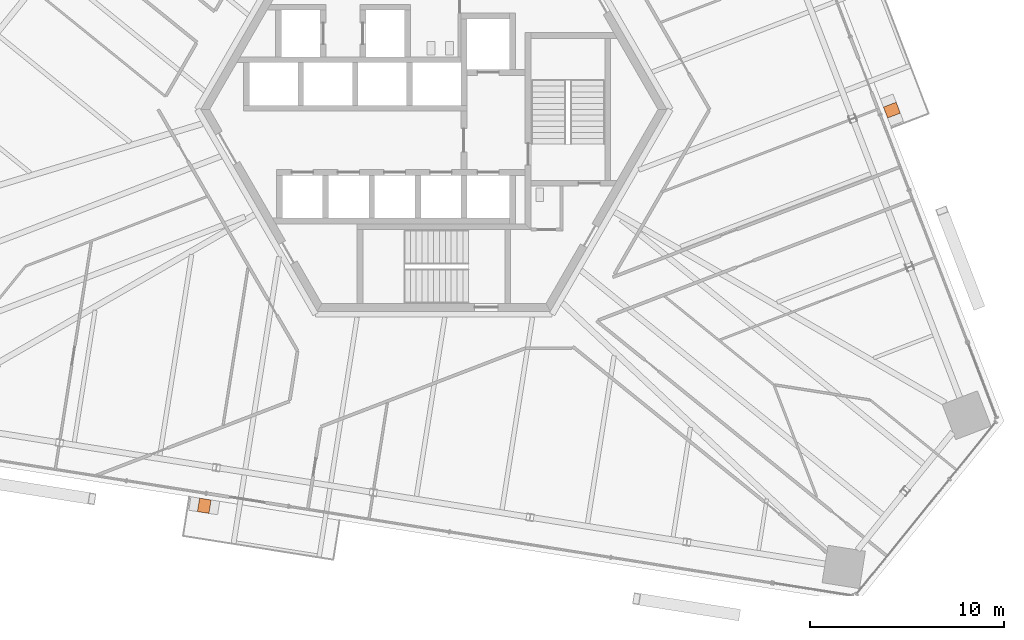
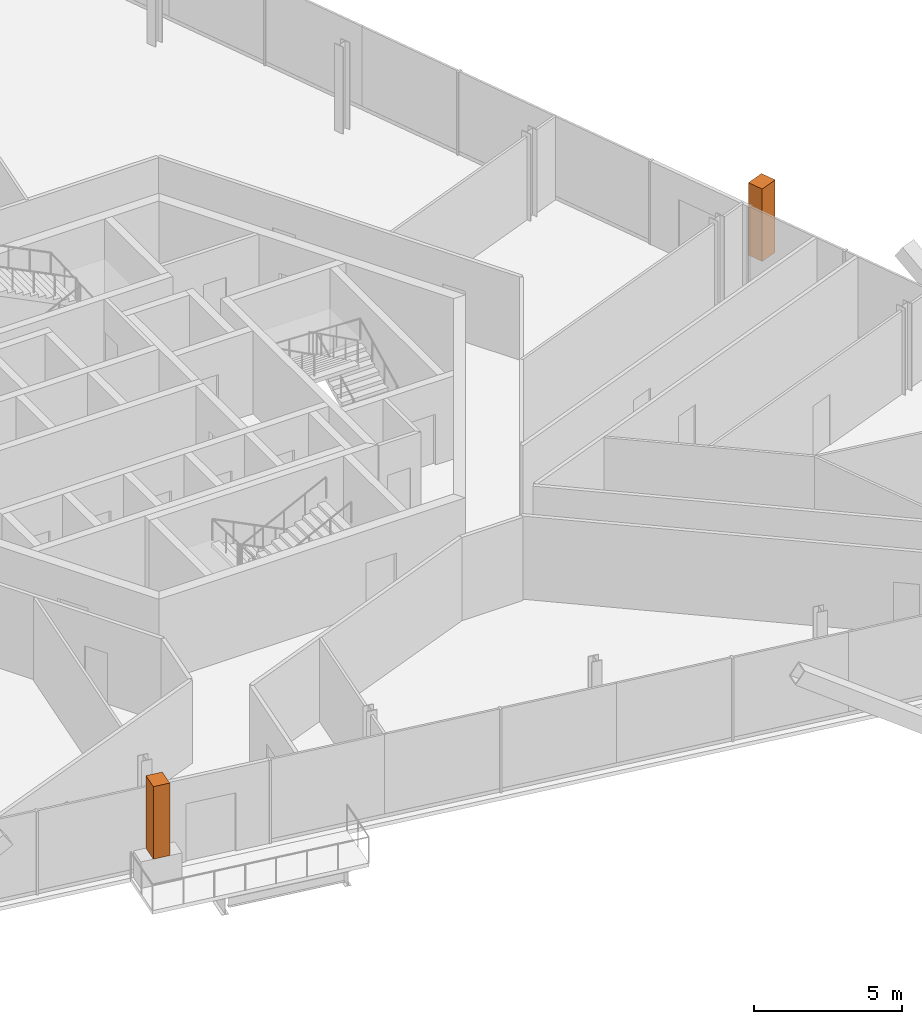
# One storey, part 19 of 19: 2 geographic elements.
"""IFC4 building model written with IfcOpenShell, lengths in metres."""

from ifc_helpers import new_model, si_unit, direction, frame, origin, origin_2d, place, context, subcontext, project, spatial, rectangle, extrude, source, transform, mapped, material, type_object, element, save


model = new_model("IFC4")

# Units and contexts
model_context = context("Model", 3, precision=1e-05, world=origin(), true_north=direction((0.0, 1.0)))
body_context = subcontext(model_context, "Body", "Model", "MODEL_VIEW")
ifc_project = project(units=[si_unit("LENGTHUNIT", "METRE"), si_unit("AREAUNIT", "SQUARE_METRE"), si_unit("VOLUMEUNIT", "CUBIC_METRE"), si_unit("PLANEANGLEUNIT", "RADIAN"), si_unit("MASSUNIT", "GRAM", prefix="KILO")], contexts=[model_context])

# Site, building, storey
site_placement = place(None, origin())
site = spatial("IfcSite", under=ifc_project, at=site_placement, CompositionType="ELEMENT")
building_placement = place(site_placement, origin())
building = spatial("IfcBuilding", under=site, at=building_placement, Name="Triune Harvest Tower", CompositionType="ELEMENT")
storey_placement = place(building_placement, frame((0.0, 0.0, 142.5)))
storey = spatial("IfcBuildingStorey", under=building, at=storey_placement, Name="L36", CompositionType="ELEMENT", Elevation=142.5)

# Geographic elements
ifc_material = material(Name="TREE-1 tree")
geographic_element_type = type_object("IfcGeographicElementType", Name="TREE-1 tree", PredefinedType="USERDEFINED", material=ifc_material)
shared_shape = source(origin(), body_context, "Body", "SweptSolid", [
    extrude(rectangle(XDim=0.60009765625, YDim=0.699951171875, at=origin_2d()), origin(), (0.0, 0.0, 1.0), 3.0),
])
for number, where, z_axis, x_axis, name in (
    (1, (23.5791015625, -0.033935546875, 1.10009765625), (0.0, 0.0, 1.0), (-0.35836927228, 0.933579918746, 0.0), "Tree B4-F1 L36.5a"),
    (2, (-11.819091796875, -20.403076171875, 1.10009765625), (0.0, 0.0, 1.0), (0.987688259912, -0.156434974453, 0.0), "Tree B4-F5 L36.5a"),
):
    element("IfcGeographicElement", number, at=place(storey_placement, frame(where, z_axis=z_axis, x_axis=x_axis)), inside=storey, type_object=geographic_element_type, Name=name, ObjectType="TREE", PredefinedType="USERDEFINED", context=body_context, shape_type="MappedRepresentation", body=[
        mapped(shared_shape, transform((0.0, 0.0, 0.0), scale=1.0)),
    ])

save(model, "model.ifc")
